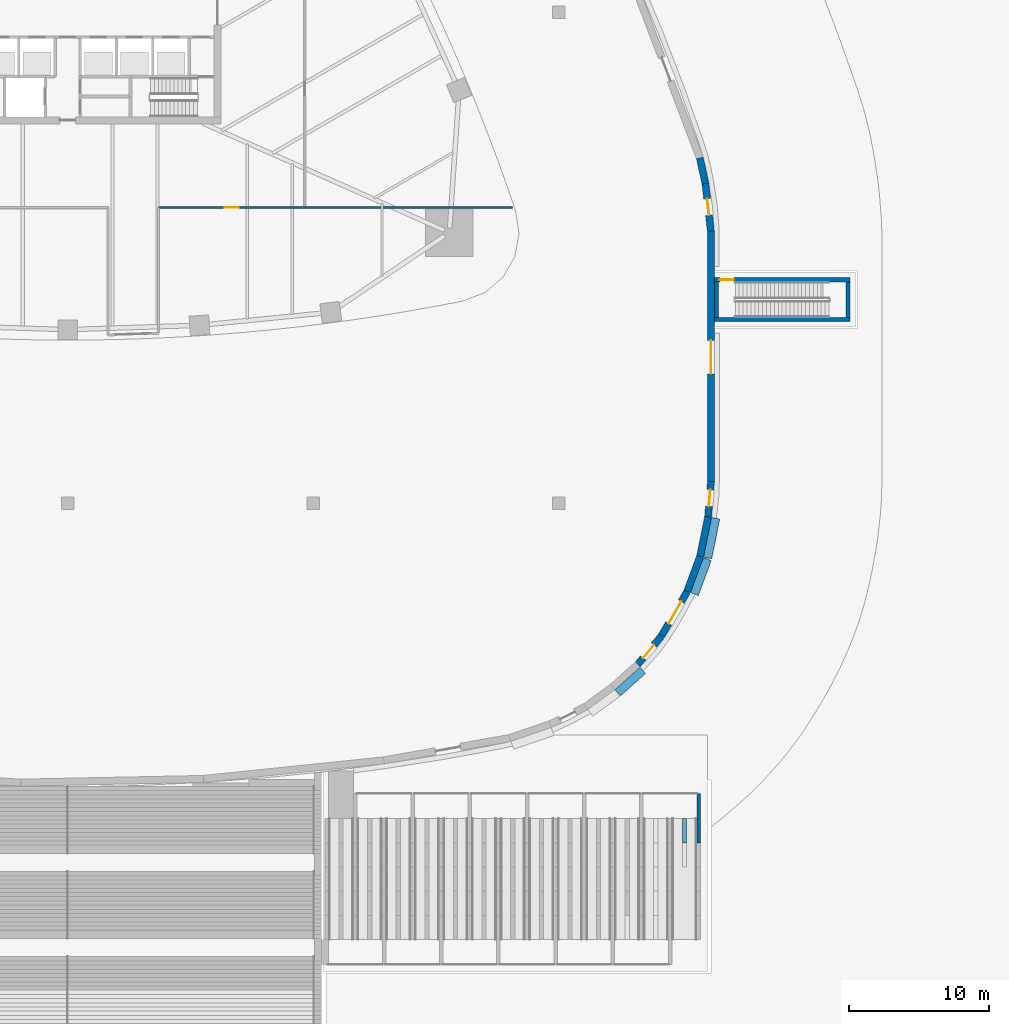
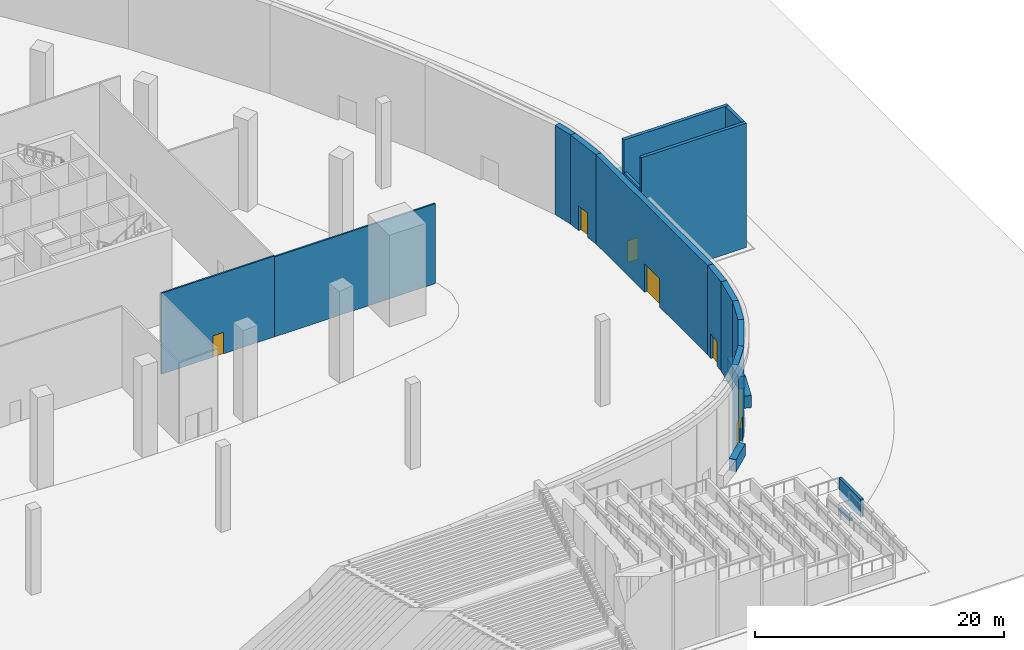
# One storey, part 10 of 29: 19 walls, 7 doors, 7 openings.
"""IFC4 building model written with IfcOpenShell, lengths in metres."""

from ifc_helpers import new_model, si_unit, direction, frame, frame_2d, origin, place, context, subcontext, project, spatial, rectangle, extrude, material, layer, layer_set, type_object, element, fill, save


model = new_model("IFC4")

# Units and contexts
model_context = context("Model", 3, precision=1e-05, world=origin(), true_north=direction((0.0, 1.0)))
body_context = subcontext(model_context, "Body", "Model", "MODEL_VIEW")
ifc_project = project(units=[si_unit("LENGTHUNIT", "METRE"), si_unit("AREAUNIT", "SQUARE_METRE"), si_unit("VOLUMEUNIT", "CUBIC_METRE"), si_unit("PLANEANGLEUNIT", "RADIAN"), si_unit("MASSUNIT", "GRAM", prefix="KILO")], contexts=[model_context])

# Site, building, storey
site_placement = place(None, origin())
site = spatial("IfcSite", under=ifc_project, at=site_placement, CompositionType="ELEMENT")
building_placement = place(site_placement, origin())
building = spatial("IfcBuilding", under=site, at=building_placement, Name="Sierra Prisma Convention Tower", CompositionType="ELEMENT")
storey_placement = place(building_placement, origin())
storey = spatial("IfcBuildingStorey", under=building, at=storey_placement, Name="L00", CompositionType="ELEMENT", Elevation=0.0)

# Wall, opening, door
ifc_material_1 = material(Name="Gypsum board partition", Category="gypsum")
ifc_layer_1 = layer(ifc_material_1, 0.14990234375)
ifc_layer_set_1 = layer_set([ifc_layer_1], Name="Corridor wall 150 gypsum EI 60")
wall_type_1 = type_object("IfcWallType", Name="Corridor wall 150 gypsum EI 60", PredefinedType="PARTITIONING", material=ifc_layer_set_1)
wall_1_placement = place(storey_placement, frame((6.5, -14.0, 0.0), z_axis=(0.0, 0.0, 1.0), x_axis=(1.0, 0.0, 0.0)))
wall_1 = element("IfcWall", 1, at=wall_1_placement, inside=storey, type_object=wall_type_1, Name="Partition L00 corr 9", PredefinedType="PARTITIONING", context=body_context, shape_type="SweptSolid", body=[
    extrude(rectangle(XDim=10.5, YDim=0.14990234375, at=frame_2d((5.25, 0.0))), origin(), (0.0, 0.0, 1.0), 7.93994140625),
])
opening_1_placement = place(wall_1_placement, frame((4.760009765625, 0.0, 0.0)))
opening_1 = element("IfcOpeningElement", 2, at=opening_1_placement, cuts=wall_1, Name="Opening L00-D034", PredefinedType="OPENING", context=body_context, shape_type="SweptSolid", body=[
    extrude(rectangle(XDim=1.0, YDim=2.10009765625, at=frame_2d((0.5, 1.050048828125))), frame((0.0, 0.074951171875, 0.0), z_axis=(0.0, -1.0, 0.0), x_axis=(1.0, 0.0, 0.0)), (0.0, 0.0, 1.0), 0.14990234375),
])
ifc_material_2 = material(Name="Steel fire door leaf", Category="steel")
door_type_1 = type_object("IfcDoorType", Name="Door 1000x2100 FD30S", OperationType="SINGLE_SWING_LEFT", PredefinedType="DOOR", material=ifc_material_2)
door_1_placement = place(opening_1_placement, origin())
door_1 = element("IfcDoor", 3, at=door_1_placement, inside=storey, type_object=door_type_1, Name="Door L00 9", OperationType="SINGLE_SWING_RIGHT", OverallHeight=2.10009765625, OverallWidth=1.0, PredefinedType="DOOR", context=body_context, shape_type="SweptSolid", body=[
    extrude(rectangle(XDim=1.0, YDim=2.10009765625, at=frame_2d((0.5, 1.050048828125))), frame((0.0, 0.02490234375, 0.0), z_axis=(0.0, -1.0, 0.0), x_axis=(1.0, 0.0, 0.0)), (0.0, 0.0, 1.0), 0.050048828125),
])
fill(opening_1, door_1)

ifc_material_3 = material(Name="Concrete C35/45", Category="concrete")
ifc_layer_2 = layer(ifc_material_3, 0.300048828125)
ifc_layer_set_2 = layer_set([ifc_layer_2], Name="Exit stair enclosure wall 300")
wall_type_2 = type_object("IfcWallType", Name="Exit stair enclosure wall 300", PredefinedType="STANDARD", material=ifc_layer_set_2)
wall_2_placement = place(storey_placement, frame((46.34912109375, -19.175048828125, 0.0), z_axis=(0.0, 0.0, 1.0), x_axis=(1.0, 0.0, 0.0)))
wall_2 = element("IfcWall", 4, at=wall_2_placement, inside=storey, type_object=wall_type_2, Name="Exit stair east north wall", PredefinedType="STANDARD", context=body_context, shape_type="SweptSolid", body=[
    extrude(rectangle(XDim=9.719970703125, YDim=0.300048828125, at=frame_2d((4.85986328125, 0.0))), origin(), (0.0, 0.0, 1.0), 12.199951171875),
])
opening_2_placement = place(wall_2_placement, frame((0.39990234375, 0.0, 0.0)))
opening_2 = element("IfcOpeningElement", 5, at=opening_2_placement, cuts=wall_2, Name="Opening L00-D046", PredefinedType="OPENING", context=body_context, shape_type="SweptSolid", body=[
    extrude(rectangle(XDim=1.0, YDim=2.10009765625, at=frame_2d((0.5, 1.050048828125))), frame((0.0, 0.14990234375, 0.0), z_axis=(0.0, -1.0, 0.0), x_axis=(1.0, 0.0, 0.0)), (0.0, 0.0, 1.0), 0.300048828125),
])
ifc_material_4 = material(Name="Painted steel, fire resisting", Category="steel")
door_type_2 = type_object("IfcDoorType", Name="Exit stair door 1000 x 2100 FD90S", OperationType="SINGLE_SWING_LEFT", PredefinedType="DOOR", material=ifc_material_4)
door_2_placement = place(opening_2_placement, origin())
door_2 = element("IfcDoor", 6, at=door_2_placement, inside=storey, type_object=door_type_2, Name="Pedestrian exit door of the east exit stair", OperationType="SINGLE_SWING_RIGHT", OverallHeight=2.10009765625, OverallWidth=1.0, PredefinedType="DOOR", context=body_context, shape_type="SweptSolid", body=[
    extrude(rectangle(XDim=1.0, YDim=2.10009765625, at=frame_2d((0.5, 1.050048828125))), frame((0.0, 0.02490234375, 0.0), z_axis=(0.0, -1.0, 0.0), x_axis=(1.0, 0.0, 0.0)), (0.0, 0.0, 1.0), 0.050048828125),
])
fill(opening_2, door_2)

# Walls
wall_3_placement = place(storey_placement, frame((46.34912109375, -22.02490234375, 0.0), z_axis=(0.0, 0.0, 1.0), x_axis=(1.0, 0.0, 0.0)))
element("IfcWall", 7, at=wall_3_placement, inside=storey, type_object=wall_type_2, Name="Exit stair east south wall", PredefinedType="STANDARD", context=body_context, shape_type="SweptSolid", body=[
    extrude(rectangle(XDim=9.719970703125, YDim=0.300048828125, at=frame_2d((4.85986328125, 0.0))), origin(), (0.0, 0.0, 1.0), 12.199951171875),
])
wall_4_placement = place(storey_placement, frame((55.919189453125, -21.875, 0.0), z_axis=(0.0, 0.0, 1.0), x_axis=(0.0, 1.0, 0.0)))
element("IfcWall", 8, at=wall_4_placement, inside=storey, type_object=wall_type_2, Name="Exit stair east far wall", PredefinedType="STANDARD", context=body_context, shape_type="SweptSolid", body=[
    extrude(rectangle(XDim=2.550048828125, YDim=0.300048828125, at=frame_2d((1.27490234375, 0.0))), origin(), (0.0, 0.0, 1.0), 12.199951171875),
])
wall_5_placement = place(storey_placement, frame((46.4990234375, -21.875, 0.0), z_axis=(0.0, 0.0, 1.0), x_axis=(0.0, 1.0, 0.0)))
element("IfcWall", 9, at=wall_5_placement, inside=storey, type_object=wall_type_2, Name="Exit stair east near wall below the deck", PredefinedType="STANDARD", context=body_context, shape_type="SweptSolid", body=[
    extrude(rectangle(XDim=2.550048828125, YDim=0.300048828125, at=frame_2d((1.27490234375, 0.0))), origin(), (0.0, 0.0, 1.0), 9.0),
])

# Wall, opening, door
ifc_material_5 = material(Name="Concrete C40/50, ochre plaster finish", Category="concrete")
ifc_layer_3 = layer(ifc_material_5, 0.5)
ifc_layer_set_3 = layer_set([ifc_layer_3], Name="Ochre plastered wall 500")
wall_type_3 = type_object("IfcWallType", Name="Ochre plastered wall 500", PredefinedType="STANDARD", material=ifc_layer_set_3)
wall_6_placement = place(storey_placement, frame((44.40185546875, -41.509521484375, 0.0), z_axis=(0.0, 0.0, 1.0), x_axis=(-0.499980583728, -0.866036613484, 0.0)))
wall_6 = element("IfcWall", 10, at=wall_6_placement, inside=storey, type_object=wall_type_3, Name="Plinth wall 18", PredefinedType="STANDARD", context=body_context, shape_type="SweptSolid", body=[
    extrude(rectangle(XDim=3.684326171875, YDim=0.5, at=frame_2d((1.84228515625, 0.0))), origin(), (0.0, 0.0, 1.0), 8.75),
])
opening_3_placement = place(wall_6_placement, frame((0.85009765625, 0.0, 0.0)))
opening_3 = element("IfcOpeningElement", 11, at=opening_3_placement, cuts=wall_6, Name="Opening L00-D049", PredefinedType="OPENING", context=body_context, shape_type="SweptSolid", body=[
    extrude(rectangle(XDim=1.800048828125, YDim=2.39990234375, at=frame_2d((0.89990234375, 1.199951171875))), frame((0.0, 0.25, 0.0), z_axis=(0.0, -1.0, 0.0), x_axis=(1.0, 0.0, 0.0)), (0.0, 0.0, 1.0), 0.5),
])
ifc_material_6 = material(Name="Painted steel, fire resisting", Category="steel")
door_type_3 = type_object("IfcDoorType", Name="Exit door double 1800 x 2400", OperationType="DOUBLE_DOOR_SINGLE_SWING", PredefinedType="DOOR", material=ifc_material_6)
door_3_placement = place(opening_3_placement, origin())
door_3 = element("IfcDoor", 12, at=door_3_placement, inside=storey, type_object=door_type_3, Name="Pedestrian exit door", OperationType="DOUBLE_DOOR_SINGLE_SWING", OverallHeight=2.39990234375, OverallWidth=1.800048828125, PredefinedType="DOOR", context=body_context, shape_type="SweptSolid", body=[
    extrude(rectangle(XDim=1.800048828125, YDim=2.39990234375, at=frame_2d((0.89990234375, 1.199951171875))), frame((0.0, 0.02490234375, 0.0), z_axis=(0.0, -1.0, 0.0), x_axis=(1.0, 0.0, 0.0)), (0.0, 0.0, 1.0), 0.050048828125),
])
fill(opening_3, door_3)

# Wall
wall_7_placement = place(storey_placement, frame((45.9033203125, -36.154541015625, 0.0), z_axis=(0.0, 0.0, 1.0), x_axis=(-0.198343188602, -0.980132633645, 0.0)))
element("IfcWall", 13, at=wall_7_placement, inside=storey, type_object=wall_type_3, Name="Plinth wall 20", PredefinedType="STANDARD", context=body_context, shape_type="SweptSolid", body=[
    extrude(rectangle(XDim=2.90869140625, YDim=0.5, at=frame_2d((1.454345703125, 0.0))), origin(), (0.0, 0.0, 1.0), 8.75),
])

# Wall, opening, door
wall_8_placement = place(storey_placement, frame((46.096923828125, -15.676025390625, 0.0), z_axis=(0.0, 0.0, 1.0), x_axis=(0.00042159659, -0.999999911128, 0.0)))
wall_8 = element("IfcWall", 14, at=wall_8_placement, inside=storey, type_object=wall_type_3, Name="Plinth wall 22", PredefinedType="STANDARD", context=body_context, shape_type="SweptSolid", body=[
    extrude(rectangle(XDim=17.95166015625, YDim=0.5, at=frame_2d((8.975830078125, 0.0))), origin(), (0.0, 0.0, 1.0), 8.75),
])
opening_4_placement = place(wall_8_placement, frame((7.85009765625, 0.0, 0.0)))
opening_4 = element("IfcOpeningElement", 15, at=opening_4_placement, cuts=wall_8, Name="Opening L00-D042", PredefinedType="OPENING", context=body_context, shape_type="SweptSolid", body=[
    extrude(rectangle(XDim=2.39990234375, YDim=2.800048828125, at=frame_2d((1.199951171875, 1.39990234375))), frame((0.0, 0.25, 0.0), z_axis=(0.0, -1.0, 0.0), x_axis=(1.0, 0.0, 0.0)), (0.0, 0.0, 1.0), 0.5),
])
ifc_material_7 = material(Name="Glass and bronze aluminium", Category="aluminium")
door_type_4 = type_object("IfcDoorType", Name="Entrance door double 2400 x 2800", OperationType="DOUBLE_DOOR_SINGLE_SWING", PredefinedType="DOOR", material=ifc_material_7)
door_4_placement = place(opening_4_placement, origin())
door_4 = element("IfcDoor", 16, at=door_4_placement, inside=storey, type_object=door_type_4, Name="Pedestrian exit door at the entrance", OperationType="DOUBLE_DOOR_SINGLE_SWING", OverallHeight=2.800048828125, OverallWidth=2.39990234375, PredefinedType="DOOR", context=body_context, shape_type="SweptSolid", body=[
    extrude(rectangle(XDim=2.39990234375, YDim=2.800048828125, at=frame_2d((1.199951171875, 1.39990234375))), frame((0.0, 0.02490234375, 0.0), z_axis=(0.0, -1.0, 0.0), x_axis=(1.0, 0.0, 0.0)), (0.0, 0.0, 1.0), 0.050048828125),
])
fill(opening_4, door_4)

# Walls
wall_9_placement = place(storey_placement, frame((45.306884765625, -10.441162109375, 0.0), z_axis=(0.0, 0.0, 1.0), x_axis=(0.214349685713, -0.976756987298, 0.0)))
element("IfcWall", 17, at=wall_9_placement, inside=storey, type_object=wall_type_3, Name="Plinth wall 24", PredefinedType="STANDARD", context=body_context, shape_type="SweptSolid", body=[
    extrude(rectangle(XDim=1.87353515625, YDim=0.5, at=frame_2d((0.936767578125, 0.0))), origin(), (0.0, 0.0, 1.0), 8.75),
])
ifc_material_8 = material(Name="Gypsum board partition", Category="gypsum")
ifc_layer_4 = layer(ifc_material_8, 0.14990234375)
ifc_layer_set_4 = layer_set([ifc_layer_4], Name="Party wall 150 gypsum")
wall_type_4 = type_object("IfcWallType", Name="Party wall 150 gypsum", PredefinedType="PARTITIONING", material=ifc_layer_set_4)
wall_10_placement = place(storey_placement, frame((17.0, -14.0, 0.0), z_axis=(0.0, 0.0, 1.0), x_axis=(1.0, 0.0, 0.0)))
element("IfcWall", 18, at=wall_10_placement, inside=storey, type_object=wall_type_4, Name="Partition L00 party 6", PredefinedType="PARTITIONING", context=body_context, shape_type="SweptSolid", body=[
    extrude(rectangle(XDim=14.898193359375, YDim=0.14990234375, at=frame_2d((7.44921875, 0.0))), origin(), (0.0, 0.0, 1.0), 7.846923828125),
])
ifc_material_9 = material(Name="Concrete C40/50, bush-hammered finish", Category="concrete")
ifc_layer_5 = layer(ifc_material_9, 0.60009765625)
ifc_layer_set_5 = layer_set([ifc_layer_5], Name="Plinth base course 600")
wall_type_5 = type_object("IfcWallType", Name="Plinth base course 600", PredefinedType="STANDARD", material=ifc_layer_set_5)
wall_11_placement = place(storey_placement, frame((39.433349609375, -48.76416015625, 0.0), z_axis=(0.0, 0.0, 1.0), x_axis=(0.744538035299, 0.667580043135, 0.0)))
element("IfcWall", 19, at=wall_11_placement, inside=storey, type_object=wall_type_5, Name="Plinth base course 8", PredefinedType="STANDARD", context=body_context, shape_type="SweptSolid", body=[
    extrude(rectangle(XDim=2.3984375, YDim=0.60009765625, at=frame_2d((1.19921875, 0.0))), origin(), (0.0, 0.0, 1.0), 1.199951171875),
])
wall_12_placement = place(storey_placement, frame((44.917724609375, -41.7001953125, 0.0), z_axis=(0.0, 0.0, 1.0), x_axis=(0.346328270688, 0.938113388095, 0.0)))
element("IfcWall", 20, at=wall_12_placement, inside=storey, type_object=wall_type_5, Name="Plinth base course 9", PredefinedType="STANDARD", context=body_context, shape_type="SweptSolid", body=[
    extrude(rectangle(XDim=2.669677734375, YDim=0.60009765625, at=frame_2d((1.3349609375, 0.0))), origin(), (0.0, 0.0, 1.0), 1.199951171875),
])
wall_13_placement = place(storey_placement, frame((45.865478515625, -39.114501953125, 0.0), z_axis=(0.0, 0.0, 1.0), x_axis=(0.198343188602, 0.980132633645, 0.0)))
element("IfcWall", 21, at=wall_13_placement, inside=storey, type_object=wall_type_5, Name="Plinth base course 10", PredefinedType="STANDARD", context=body_context, shape_type="SweptSolid", body=[
    extrude(rectangle(XDim=2.90869140625, YDim=0.60009765625, at=frame_2d((1.454345703125, 0.0))), origin(), (0.0, 0.0, 1.0), 1.199951171875),
])
ifc_material_10 = material(Name="Concrete C35/45, rose plaster finish", Category="concrete")
ifc_layer_6 = layer(ifc_material_10, 0.25)
ifc_layer_set_6 = layer_set([ifc_layer_6], Name="Ramp guard wall 250")
wall_type_6 = type_object("IfcWallType", Name="Ramp guard wall 250", PredefinedType="STANDARD", material=ifc_layer_set_6)
wall_14_placement = place(storey_placement, frame((45.22509765625, -59.53076171875, 0.0), z_axis=(0.0, 0.0, 1.0), x_axis=(0.0, 1.0, 0.0)))
element("IfcWall", 22, at=wall_14_placement, inside=storey, type_object=wall_type_6, Name="Accessible ramp guard wall 1 5", PredefinedType="STANDARD", context=body_context, shape_type="SweptSolid", body=[
    extrude(rectangle(XDim=3.53076171875, YDim=0.25, at=frame_2d((1.765380859375, 0.0))), origin(), (0.0, 0.0, 1.0), 1.792236328125),
])
ifc_material_11 = material(Name="Concrete C35/45", Category="concrete")
ifc_layer_7 = layer(ifc_material_11, 0.300048828125)
ifc_layer_set_7 = layer_set([ifc_layer_7], Name="Ramp spine wall 300")
wall_type_7 = type_object("IfcWallType", Name="Ramp spine wall 300", PredefinedType="STANDARD", material=ifc_layer_set_7)
wall_15_placement = place(storey_placement, frame((44.199951171875, -59.53076171875, 0.0), z_axis=(0.0, 0.0, 1.0), x_axis=(0.0, 1.0, 0.0)))
element("IfcWall", 23, at=wall_15_placement, inside=storey, type_object=wall_type_7, Name="Accessible ramp spine wall 1 2", PredefinedType="STANDARD", context=body_context, shape_type="SweptSolid", body=[
    extrude(rectangle(XDim=1.730712890625, YDim=0.300048828125, at=frame_2d((0.865234375, 0.0))), origin(), (0.0, 0.0, 1.0), 0.2529296875),
])

# Wall, opening, door
ifc_material_12 = material(Name="Concrete C40/50, rose plaster finish", Category="concrete")
ifc_layer_8 = layer(ifc_material_12, 0.5)
ifc_layer_set_8 = layer_set([ifc_layer_8], Name="Rose plastered wall 500")
wall_type_8 = type_object("IfcWallType", Name="Rose plastered wall 500", PredefinedType="STANDARD", material=ifc_layer_set_8)
wall_16_placement = place(storey_placement, frame((42.559814453125, -44.7001953125, 0.0), z_axis=(0.0, 0.0, 1.0), x_axis=(-0.639419827108, -0.768857779243, 0.0)))
wall_16 = element("IfcWall", 24, at=wall_16_placement, inside=storey, type_object=wall_type_8, Name="Plinth wall 17", PredefinedType="STANDARD", context=body_context, shape_type="SweptSolid", body=[
    extrude(rectangle(XDim=2.6708984375, YDim=0.5, at=frame_2d((1.33544921875, 0.0))), origin(), (0.0, 0.0, 1.0), 8.75),
])
opening_5_placement = place(wall_16_placement, frame((0.85009765625, 0.0, 0.0)))
opening_5 = element("IfcOpeningElement", 25, at=opening_5_placement, cuts=wall_16, Name="Opening L00-D056", PredefinedType="OPENING", context=body_context, shape_type="SweptSolid", body=[
    extrude(rectangle(XDim=1.199951171875, YDim=2.39990234375, at=frame_2d((0.60009765625, 1.199951171875))), frame((0.0, 0.25, 0.0), z_axis=(0.0, -1.0, 0.0), x_axis=(1.0, 0.0, 0.0)), (0.0, 0.0, 1.0), 0.5),
])
ifc_material_13 = material(Name="Painted steel, fire resisting", Category="steel")
door_type_5 = type_object("IfcDoorType", Name="Pedestrian exit door 1200 x 2400", OperationType="SINGLE_SWING_LEFT", PredefinedType="DOOR", material=ifc_material_13)
door_5_placement = place(opening_5_placement, origin())
door_5 = element("IfcDoor", 26, at=door_5_placement, inside=storey, type_object=door_type_5, Name="Pedestrian exit door", OperationType="SINGLE_SWING_LEFT", OverallHeight=2.39990234375, OverallWidth=1.199951171875, PredefinedType="DOOR", context=body_context, shape_type="SweptSolid", body=[
    extrude(rectangle(XDim=1.199951171875, YDim=2.39990234375, at=frame_2d((0.60009765625, 1.199951171875))), frame((0.0, 0.02490234375, 0.0), z_axis=(0.0, -1.0, 0.0), x_axis=(1.0, 0.0, 0.0)), (0.0, 0.0, 1.0), 0.050048828125),
])
fill(opening_5, door_5)

# Wall
wall_17_placement = place(storey_placement, frame((45.326416015625, -39.00537109375, 0.0), z_axis=(0.0, 0.0, 1.0), x_axis=(-0.346357985339, -0.938102417645, 0.0)))
element("IfcWall", 27, at=wall_17_placement, inside=storey, type_object=wall_type_8, Name="Plinth wall 19", PredefinedType="STANDARD", context=body_context, shape_type="SweptSolid", body=[
    extrude(rectangle(XDim=2.66943359375, YDim=0.5, at=frame_2d((1.334716796875, 0.0))), origin(), (0.0, 0.0, 1.0), 8.75),
])

# Wall, opening, door
wall_18_placement = place(storey_placement, frame((46.1044921875, -33.627685546875, 0.0), z_axis=(0.0, 0.0, 1.0), x_axis=(-0.079362411924, -0.996845829391, 0.0)))
wall_18 = element("IfcWall", 28, at=wall_18_placement, inside=storey, type_object=wall_type_8, Name="Plinth wall 21", PredefinedType="STANDARD", context=body_context, shape_type="SweptSolid", body=[
    extrude(rectangle(XDim=2.534912109375, YDim=0.5, at=frame_2d((1.267578125, 0.0))), origin(), (0.0, 0.0, 1.0), 8.75),
])
opening_6_placement = place(wall_18_placement, frame((0.60009765625, 0.0, 0.0)))
opening_6 = element("IfcOpeningElement", 29, at=opening_6_placement, cuts=wall_18, Name="Opening L00-D057", PredefinedType="OPENING", context=body_context, shape_type="SweptSolid", body=[
    extrude(rectangle(XDim=1.199951171875, YDim=2.39990234375, at=frame_2d((0.60009765625, 1.199951171875))), frame((0.0, 0.25, 0.0), z_axis=(0.0, -1.0, 0.0), x_axis=(1.0, 0.0, 0.0)), (0.0, 0.0, 1.0), 0.5),
])
door_6_placement = place(opening_6_placement, origin())
door_6 = element("IfcDoor", 30, at=door_6_placement, inside=storey, type_object=door_type_5, Name="Pedestrian exit door", OperationType="SINGLE_SWING_LEFT", OverallHeight=2.39990234375, OverallWidth=1.199951171875, PredefinedType="DOOR", context=body_context, shape_type="SweptSolid", body=[
    extrude(rectangle(XDim=1.199951171875, YDim=2.39990234375, at=frame_2d((0.60009765625, 1.199951171875))), frame((0.0, 0.02490234375, 0.0), z_axis=(0.0, -1.0, 0.0), x_axis=(1.0, 0.0, 0.0)), (0.0, 0.0, 1.0), 0.050048828125),
])
fill(opening_6, door_6)

wall_19_placement = place(storey_placement, frame((45.70849609375, -12.271240234375, 0.0), z_axis=(0.0, 0.0, 1.0), x_axis=(0.113347670979, -0.993555386218, 0.0)))
wall_19 = element("IfcWall", 31, at=wall_19_placement, inside=storey, type_object=wall_type_8, Name="Plinth wall 23", PredefinedType="STANDARD", context=body_context, shape_type="SweptSolid", body=[
    extrude(rectangle(XDim=3.4267578125, YDim=0.5, at=frame_2d((1.71337890625, 0.0))), origin(), (0.0, 0.0, 1.0), 8.75),
])
opening_7_placement = place(wall_19_placement, frame((1.10009765625, 0.0, 0.0)))
opening_7 = element("IfcOpeningElement", 32, at=opening_7_placement, cuts=wall_19, Name="Opening L00-D058", PredefinedType="OPENING", context=body_context, shape_type="SweptSolid", body=[
    extrude(rectangle(XDim=1.199951171875, YDim=2.39990234375, at=frame_2d((0.60009765625, 1.199951171875))), frame((0.0, 0.25, 0.0), z_axis=(0.0, -1.0, 0.0), x_axis=(1.0, 0.0, 0.0)), (0.0, 0.0, 1.0), 0.5),
])
door_7_placement = place(opening_7_placement, origin())
door_7 = element("IfcDoor", 33, at=door_7_placement, inside=storey, type_object=door_type_5, Name="Pedestrian exit door", OperationType="SINGLE_SWING_LEFT", OverallHeight=2.39990234375, OverallWidth=1.199951171875, PredefinedType="DOOR", context=body_context, shape_type="SweptSolid", body=[
    extrude(rectangle(XDim=1.199951171875, YDim=2.39990234375, at=frame_2d((0.60009765625, 1.199951171875))), frame((0.0, 0.02490234375, 0.0), z_axis=(0.0, -1.0, 0.0), x_axis=(1.0, 0.0, 0.0)), (0.0, 0.0, 1.0), 0.050048828125),
])
fill(opening_7, door_7)

save(model, "model.ifc")
